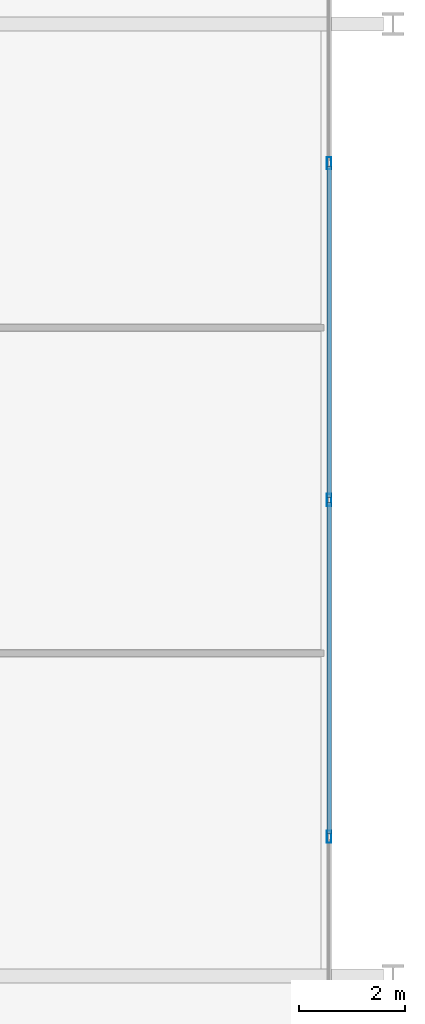
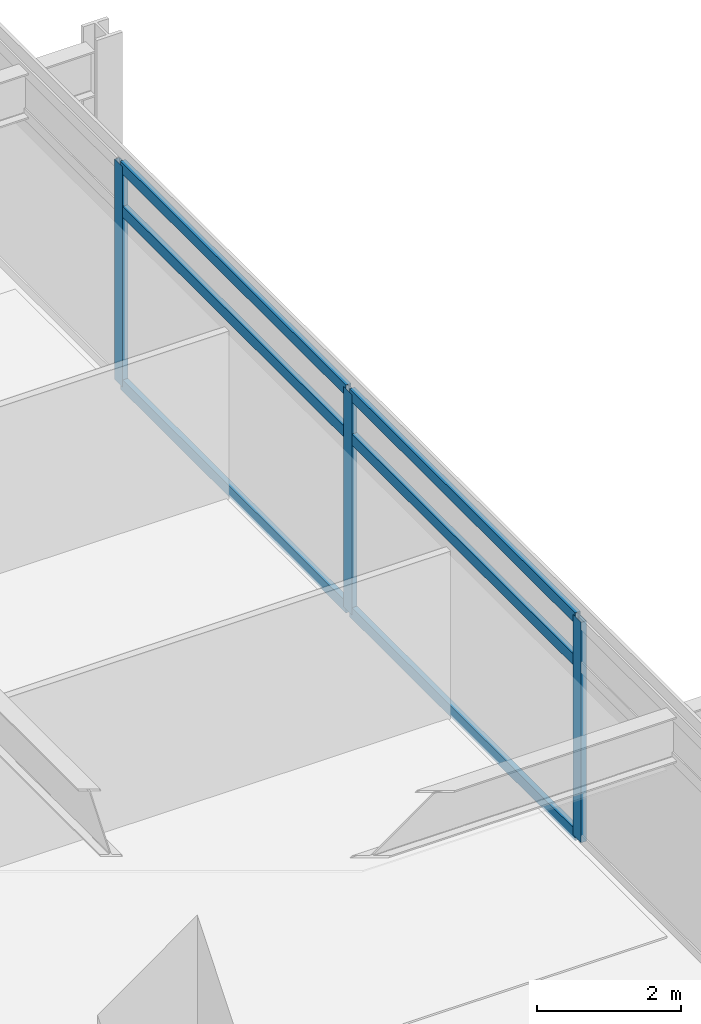
# One storey, part 4 of 23: 9 members, 1 element without a shape of its own.
"""IFC4 building model written with IfcOpenShell, lengths in metres."""

import ifcopenshell
import ifcopenshell.guid

model = None  # the IFC model being written
_history = None  # IfcOwnerHistory: only IFC2X3 demands one
_inside = {}  # id of a spatial element -> (the spatial element, [elements in it])
_under = {}  # id of a project, library or spatial element -> (it, [spatial elements below it])
_declared = {}  # id of a project -> (the project, [libraries it declares])
_typed = {}  # id of a type object -> (the type object, [elements of that type])
_made_of = {}  # id of a material, layer set ... -> (it, [elements and type objects made of it])


def new_model(schema):
    """Start an empty IFC model of exactly this schema.

    Asked for "IFC4X3", IfcOpenShell would pick the latest addendum, in which some entities
    have other attributes; the version numbers below select the first issue.
    IFC2X3 requires an IfcOwnerHistory on every rooted entity: one is made here for all.
    """
    global model, _history
    if schema == "IFC4X3":
        model = ifcopenshell.file(schema_version=(4, 3, 0, 0))
    else:
        model = ifcopenshell.file(schema=schema)
    _inside.clear()
    _under.clear()
    _declared.clear()
    _typed.clear()
    _made_of.clear()
    _history = None
    if model.schema == "IFC2X3":
        org = make("IfcOrganization", Name="unknown")
        user = make(
            "IfcPersonAndOrganization",
            ThePerson=make("IfcPerson", FamilyName="unknown"),
            TheOrganization=org,
        )
        app = make(
            "IfcApplication",
            ApplicationDeveloper=org,
            Version="unknown",
            ApplicationFullName="unknown",
            ApplicationIdentifier="unknown",
        )
        _history = make(
            "IfcOwnerHistory",
            OwningUser=user,
            OwningApplication=app,
            ChangeAction="ADDED",
            CreationDate=0,
        )
    return model


def make(cls, **values):
    """One entity of the class cls with the attributes given. An attribute that is None is left unset."""
    return model.create_entity(
        cls, **{name: value for name, value in values.items() if value is not None}
    )


def rooted(cls, **values):
    """An entity with a GlobalId (a new one), such as an element, a storey or a relation."""
    return make(cls, GlobalId=ifcopenshell.guid.new(), OwnerHistory=_history, **values)


def si_unit(unit_type, name, prefix=None):
    """IfcSIUnit, for example si_unit("LENGTHUNIT", "METRE", prefix="MILLI")."""
    return make("IfcSIUnit", UnitType=unit_type, Prefix=prefix, Name=name)


def assignment(units):
    """IfcUnitAssignment: the units of a project."""
    return None if units is None else make("IfcUnitAssignment", Units=units)


def point(xyz):
    """IfcCartesianPoint."""
    return None if xyz is None else make("IfcCartesianPoint", Coordinates=xyz)


def direction(xyz):
    """IfcDirection."""
    return None if xyz is None else make("IfcDirection", DirectionRatios=xyz)


def frame(location, z_axis=None, x_axis=None):
    """IfcAxis2Placement3D, a coordinate frame: its origin and axes. An axis left out is left unset."""
    return make(
        "IfcAxis2Placement3D",
        Location=point(location),
        Axis=direction(z_axis),
        RefDirection=direction(x_axis),
    )


def frame_2d(location, x_axis=None):
    """IfcAxis2Placement2D, a coordinate frame in the plane: its origin and x axis."""
    return make(
        "IfcAxis2Placement2D", Location=point(location), RefDirection=direction(x_axis)
    )


def origin():
    """The frame at (0, 0, 0) with its axes left unset."""
    return frame((0.0, 0.0, 0.0))


def origin_2d():
    """The frame at (0, 0) in the plane with its x axis left unset."""
    return frame_2d((0.0, 0.0))


def place(relative_to, where):
    """IfcLocalPlacement: puts the frame where relative to a parent placement (None: the world)."""
    return make(
        "IfcLocalPlacement", PlacementRelTo=relative_to, RelativePlacement=where
    )


def context(
    kind, dimensions, precision=None, world=None, true_north=None, identifier=None
):
    """IfcGeometricRepresentationContext, for example the 3D "Model" context."""
    return make(
        "IfcGeometricRepresentationContext",
        ContextIdentifier=identifier,
        ContextType=kind,
        CoordinateSpaceDimension=dimensions,
        Precision=precision,
        WorldCoordinateSystem=world,
        TrueNorth=true_north,
    )


def subcontext(parent, identifier, kind, view, scale=None):
    """IfcGeometricRepresentationSubContext, for example "Body" below "Model"."""
    return make(
        "IfcGeometricRepresentationSubContext",
        ContextIdentifier=identifier,
        ContextType=kind,
        ParentContext=parent,
        TargetScale=scale,
        TargetView=view,
    )


def project(units=None, contexts=None):
    """IfcProject with its units and contexts."""
    return rooted(
        "IfcProject",
        Name="project",
        RepresentationContexts=contexts,
        UnitsInContext=assignment(units),
    )


def spatial(cls, under=None, at=None, **own):
    """A site, building, storey or space (cls), placed at a placement, below another one or the project."""
    s = rooted(cls, ObjectPlacement=at, **own)
    if under is not None:
        _under.setdefault(under.id(), (under, []))[1].append(s)
    return s


def profile(cls, at=None, kind="AREA", **sizes):
    """A parametric profile (cls). Its sizes go by their IFC names, for example OverallWidth=200.0."""
    return make(cls, ProfileType=kind, Position=at, **sizes)


def hollow_rectangle(**sizes):
    """IfcRectangleHollowProfileDef."""
    return profile("IfcRectangleHollowProfileDef", **sizes)


def extrude(swept, where, along, depth):
    """IfcExtrudedAreaSolid: the profile swept, set in the frame where, extruded along a direction by depth."""
    return make(
        "IfcExtrudedAreaSolid",
        SweptArea=swept,
        Position=where,
        ExtrudedDirection=direction(along),
        Depth=depth,
    )


def shape(context_of_items, identifier, shape_type, items):
    """IfcShapeRepresentation: the items that make up one representation, for example the "Body"."""
    return make(
        "IfcShapeRepresentation",
        ContextOfItems=context_of_items,
        RepresentationIdentifier=identifier,
        RepresentationType=shape_type,
        Items=items,
    )


def material(Name=None, Category=None):
    """IfcMaterial."""
    return make("IfcMaterial", Name=Name, Category=Category)


def material_profile(
    of_material, cross_section, Name=None, Category=None, Priority=None
):
    """IfcMaterialProfile: a cross section and its material."""
    return make(
        "IfcMaterialProfile",
        Name=Name,
        Material=of_material,
        Profile=cross_section,
        Priority=Priority,
        Category=Category,
    )


def profile_set(profiles, Name=None, composite=None):
    """IfcMaterialProfileSet."""
    return make(
        "IfcMaterialProfileSet",
        Name=Name,
        MaterialProfiles=profiles,
        CompositeProfile=composite,
    )


def made_of(thing, what):
    """Note that an element or type object is made of a material, layer set ...; save() writes the relation."""
    if what is not None:
        _made_of.setdefault(what.id(), (what, []))[1].append(thing)
    return thing


def type_object(cls, material=None, **own):
    """A type object (cls), such as IfcWallType, which elements share."""
    return made_of(rooted(cls, **own), material)


def element(
    cls,
    number,
    at=None,
    inside=None,
    cuts=None,
    type_object=None,
    material=None,
    context=None,
    identifier="Body",
    shape_type=None,
    held_by="IfcProductDefinitionShape",
    body=None,
    shapes=None,
    **own,
):
    """One element of the class cls, such as IfcWall. Its Tag is "e" and its number.

    at: its placement. inside: the storey or other place that contains it. cuts: it is an
    opening in that element (IfcRelVoidsElement). A single representation is given by context,
    identifier, shape_type and body (its items); several are given by shapes. held_by: the class
    of the entity that holds the representations. save() writes the other relations.
    """
    e = rooted(cls, Tag="e%d" % number, ObjectPlacement=at, **own)
    if body is not None:
        shapes = [shape(context, identifier, shape_type, body)]
    if shapes is not None:
        e.Representation = make(held_by, Representations=shapes)
    if inside is not None:
        _inside.setdefault(inside.id(), (inside, []))[1].append(e)
    if cuts is not None:
        rooted(
            "IfcRelVoidsElement", RelatingBuildingElement=cuts, RelatedOpeningElement=e
        )
    if type_object is not None:
        _typed.setdefault(type_object.id(), (type_object, []))[1].append(e)
    return made_of(e, material)


def aggregate(whole, parts):
    """IfcRelAggregates: a whole, such as a stair, and the parts it consists of."""
    return rooted("IfcRelAggregates", RelatingObject=whole, RelatedObjects=parts)


def save(model, path):
    """Write the relations noted so far, then the file.

    IfcRelAggregates (storeys below a building ...), IfcRelContainedInSpatialStructure (elements
    in a storey), IfcRelDefinesByType, IfcRelAssociatesMaterial and IfcRelDeclares: one each for
    every whole, place, type object, material and project.
    """
    for whole, parts in _under.values():
        aggregate(whole, parts)
    for where, things in _inside.values():
        rooted(
            "IfcRelContainedInSpatialStructure",
            RelatedElements=things,
            RelatingStructure=where,
        )
    for kind, things in _typed.values():
        rooted("IfcRelDefinesByType", RelatedObjects=things, RelatingType=kind)
    for what, things in _made_of.values():
        rooted("IfcRelAssociatesMaterial", RelatedObjects=things, RelatingMaterial=what)
    for by, libraries in _declared.values():
        rooted("IfcRelDeclares", RelatingContext=by, RelatedDefinitions=libraries)
    model.write(path)


model = new_model("IFC4")

# Units and contexts
model_context = context("Model", 3, precision=1e-05, world=origin(), true_north=direction((0.0, 1.0)))
body_context = subcontext(model_context, "Body", "Model", "MODEL_VIEW")
ifc_project = project(units=[si_unit("LENGTHUNIT", "METRE"), si_unit("AREAUNIT", "SQUARE_METRE"), si_unit("VOLUMEUNIT", "CUBIC_METRE"), si_unit("PLANEANGLEUNIT", "RADIAN"), si_unit("MASSUNIT", "GRAM", prefix="KILO")], contexts=[model_context])

# Site, building, storey
site_placement = place(None, origin())
site = spatial("IfcSite", under=ifc_project, at=site_placement, CompositionType="ELEMENT")
building_placement = place(site_placement, origin())
building = spatial("IfcBuilding", under=site, at=building_placement, Name="Kovane Verandah Tower", CompositionType="ELEMENT")
storey_placement = place(building_placement, frame((0.0, 0.0, 136.39990234375)))
storey = spatial("IfcBuildingStorey", under=building, at=storey_placement, Name="L31", CompositionType="ELEMENT", Elevation=136.39990234375)

# Curtain wall, members
ifc_material_1 = material(Name="Champagne Anodised Aluminium Frame with Low-E Clear Laminated Glass", Category="aluminium")
curtain_wall_type = type_object("IfcCurtainWallType", Name="CW-SYS-03-MID", PredefinedType="NOTDEFINED", material=ifc_material_1)
curtain_wall_placement = place(storey_placement, origin())
curtain_wall = element("IfcCurtainWall", 1, at=curtain_wall_placement, inside=storey, type_object=curtain_wall_type, Name="L31 E Unitised Curtain Wall", PredefinedType="NOTDEFINED")
ifc_material_2 = material(Name="Champagne Anodised Aluminium 6063-T6", Category="aluminium")
ifc_material_profile_1 = material_profile(ifc_material_2, hollow_rectangle(XDim=0.0849609375, YDim=0.22998046875, WallThickness=0.00390625, at=origin_2d()), Name="AL85x230x4")
ifc_profile_set_1 = profile_set([ifc_material_profile_1], Name="Champagne Anodised Aluminium 6063-T6")
member_type_1 = type_object("IfcMemberType", Name="CW-MUL-85x230", PredefinedType="MULLION", material=ifc_profile_set_1)
member_1_placement = place(storey_placement, frame((66.3896484375, 21.13330078125, 0.02001953125), z_axis=(0.0, 0.0, 1.0), x_axis=(1.0, 0.0, 0.0)))
member_1 = element("IfcMember", 2, at=member_1_placement, type_object=member_type_1, Name="L31 E Unitised Curtain Wall Mullion 3", PredefinedType="MULLION", context=body_context, shape_type="SweptSolid", body=[
    extrude(hollow_rectangle(XDim=0.0849609375, YDim=0.22998046875, WallThickness=0.00390625, at=origin_2d()), origin(), (0.0, 0.0, 1.0), 3.735107421875),
])
member_2_placement = place(storey_placement, frame((66.3896484375, 27.5, 0.02001953125), z_axis=(0.0, 0.0, 1.0), x_axis=(1.0, 0.0, 0.0)))
member_2 = element("IfcMember", 3, at=member_2_placement, type_object=member_type_1, Name="L31 E Unitised Curtain Wall Mullion 4", PredefinedType="MULLION", context=body_context, shape_type="SweptSolid", body=[
    extrude(hollow_rectangle(XDim=0.0849609375, YDim=0.22998046875, WallThickness=0.00390625, at=origin_2d()), origin(), (0.0, 0.0, 1.0), 3.735107421875),
])
member_3_placement = place(storey_placement, frame((66.3896484375, 33.86669921875, 0.02001953125), z_axis=(0.0, 0.0, 1.0), x_axis=(1.0, 0.0, 0.0)))
member_3 = element("IfcMember", 4, at=member_3_placement, type_object=member_type_1, Name="L31 E Unitised Curtain Wall Mullion 5", PredefinedType="MULLION", context=body_context, shape_type="SweptSolid", body=[
    extrude(hollow_rectangle(XDim=0.0849609375, YDim=0.22998046875, WallThickness=0.00390625, at=origin_2d()), origin(), (0.0, 0.0, 1.0), 3.735107421875),
])
ifc_material_profile_2 = material_profile(ifc_material_2, hollow_rectangle(XDim=0.0849609375, YDim=0.18994140625, WallThickness=0.00390625, at=origin_2d()), Name="AL85x190x4")
ifc_profile_set_2 = profile_set([ifc_material_profile_2], Name="Champagne Anodised Aluminium 6063-T6")
member_type_2 = type_object("IfcMemberType", Name="CW-TRN-85x190", PredefinedType="USERDEFINED", material=ifc_profile_set_2)
member_4_placement = place(storey_placement, frame((66.3896484375, 21.18310546875, 0.050048828125), z_axis=(0.0, 1.0, 0.0), x_axis=(-1.0, 0.0, 0.0)))
member_4 = element("IfcMember", 5, at=member_4_placement, type_object=member_type_2, Name="L31 E Unitised Curtain Wall Transom TB Bay 3", ObjectType="TRANSOM", PredefinedType="USERDEFINED", context=body_context, shape_type="SweptSolid", body=[
    extrude(hollow_rectangle(XDim=0.0849609375, YDim=0.18994140625, WallThickness=0.00390625, at=origin_2d()), origin(), (0.0, 0.0, 1.0), 6.266845703125),
])
member_5_placement = place(storey_placement, frame((66.3896484375, 21.18310546875, 2.9951171875), z_axis=(0.0, 1.0, 0.0), x_axis=(-1.0, 0.0, 0.0)))
member_5 = element("IfcMember", 6, at=member_5_placement, type_object=member_type_2, Name="L31 E Unitised Curtain Wall Transom TM Bay 3", ObjectType="TRANSOM", PredefinedType="USERDEFINED", context=body_context, shape_type="SweptSolid", body=[
    extrude(hollow_rectangle(XDim=0.0849609375, YDim=0.18994140625, WallThickness=0.00390625, at=origin_2d()), origin(), (0.0, 0.0, 1.0), 6.266845703125),
])
member_6_placement = place(storey_placement, frame((66.3896484375, 21.18310546875, 3.72509765625), z_axis=(0.0, 1.0, 0.0), x_axis=(-1.0, 0.0, 0.0)))
member_6 = element("IfcMember", 7, at=member_6_placement, type_object=member_type_2, Name="L31 E Unitised Curtain Wall Transom TT Bay 3", ObjectType="TRANSOM", PredefinedType="USERDEFINED", context=body_context, shape_type="SweptSolid", body=[
    extrude(hollow_rectangle(XDim=0.0849609375, YDim=0.18994140625, WallThickness=0.00390625, at=origin_2d()), origin(), (0.0, 0.0, 1.0), 6.266845703125),
])
member_7_placement = place(storey_placement, frame((66.3896484375, 27.550048828125, 0.050048828125), z_axis=(0.0, 1.0, 0.0), x_axis=(-1.0, 0.0, 0.0)))
member_7 = element("IfcMember", 8, at=member_7_placement, type_object=member_type_2, Name="L31 E Unitised Curtain Wall Transom TB Bay 4", ObjectType="TRANSOM", PredefinedType="USERDEFINED", context=body_context, shape_type="SweptSolid", body=[
    extrude(hollow_rectangle(XDim=0.0849609375, YDim=0.18994140625, WallThickness=0.00390625, at=origin_2d()), origin(), (0.0, 0.0, 1.0), 6.266845703125),
])
member_8_placement = place(storey_placement, frame((66.3896484375, 27.550048828125, 2.9951171875), z_axis=(0.0, 1.0, 0.0), x_axis=(-1.0, 0.0, 0.0)))
member_8 = element("IfcMember", 9, at=member_8_placement, type_object=member_type_2, Name="L31 E Unitised Curtain Wall Transom TM Bay 4", ObjectType="TRANSOM", PredefinedType="USERDEFINED", context=body_context, shape_type="SweptSolid", body=[
    extrude(hollow_rectangle(XDim=0.0849609375, YDim=0.18994140625, WallThickness=0.00390625, at=origin_2d()), origin(), (0.0, 0.0, 1.0), 6.266845703125),
])
member_9_placement = place(storey_placement, frame((66.3896484375, 27.550048828125, 3.72509765625), z_axis=(0.0, 1.0, 0.0), x_axis=(-1.0, 0.0, 0.0)))
member_9 = element("IfcMember", 10, at=member_9_placement, type_object=member_type_2, Name="L31 E Unitised Curtain Wall Transom TT Bay 4", ObjectType="TRANSOM", PredefinedType="USERDEFINED", context=body_context, shape_type="SweptSolid", body=[
    extrude(hollow_rectangle(XDim=0.0849609375, YDim=0.18994140625, WallThickness=0.00390625, at=origin_2d()), origin(), (0.0, 0.0, 1.0), 6.266845703125),
])
aggregate(curtain_wall, [member_1, member_2, member_3, member_4, member_5, member_6, member_7, member_8, member_9])

save(model, "model.ifc")
